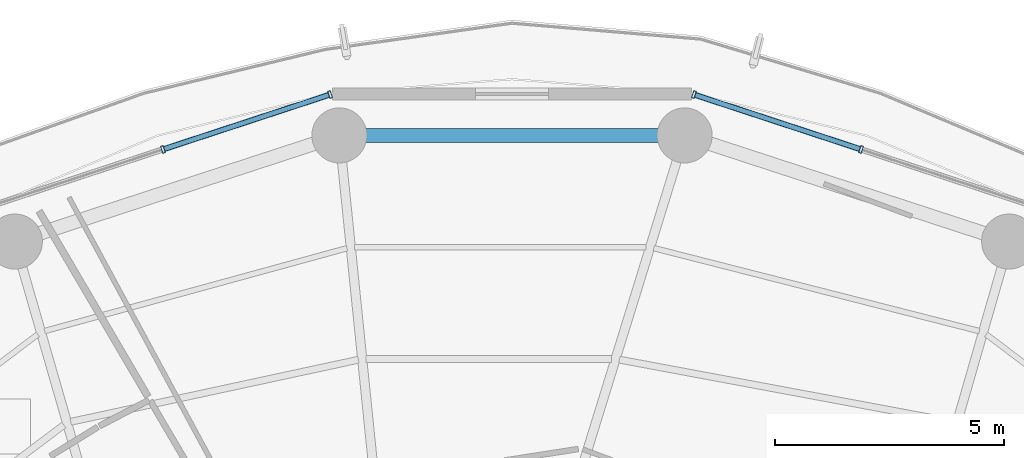
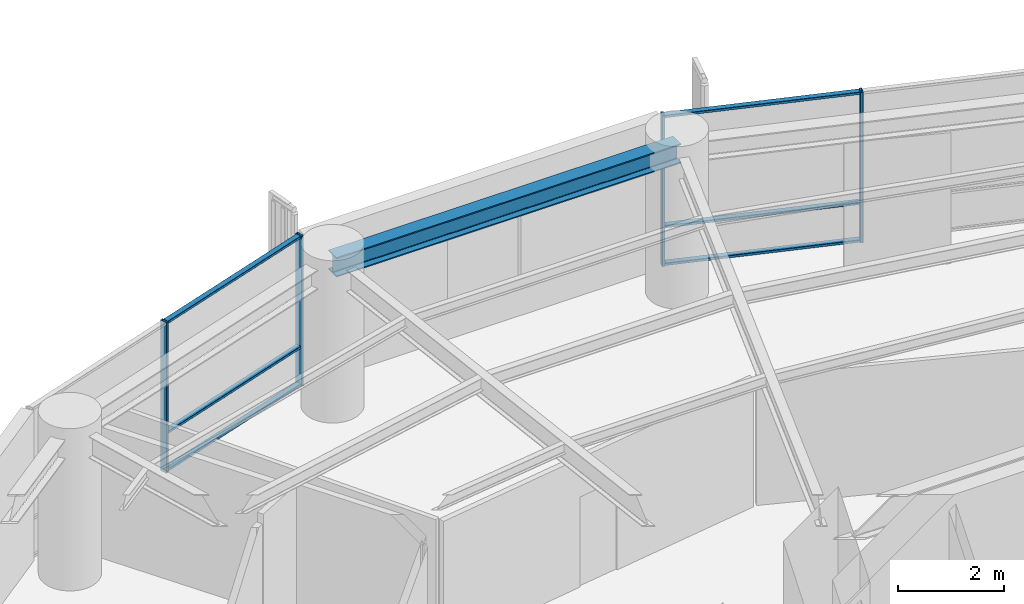
# One storey, part 18 of 27: 10 members, 1 beam, 2 elements without a shape of their own.
"""IFC4 building model written with IfcOpenShell, lengths in metres."""

from ifc_helpers import new_model, si_unit, direction, frame, origin, origin_2d, place, context, subcontext, project, spatial, hollow_rectangle, i_section, extrude, material, layer, layer_set, material_profile, profile_set, type_object, element, aggregate, save


model = new_model("IFC4")

# Units and contexts
model_context = context("Model", 3, precision=1e-05, world=origin(), true_north=direction((0.0, 1.0)))
body_context = subcontext(model_context, "Body", "Model", "MODEL_VIEW")
ifc_project = project(units=[si_unit("LENGTHUNIT", "METRE"), si_unit("AREAUNIT", "SQUARE_METRE"), si_unit("VOLUMEUNIT", "CUBIC_METRE"), si_unit("PLANEANGLEUNIT", "RADIAN"), si_unit("MASSUNIT", "GRAM", prefix="KILO")], contexts=[model_context])

# Site, building, storey
site_placement = place(None, origin())
site = spatial("IfcSite", under=ifc_project, at=site_placement, CompositionType="ELEMENT")
building_placement = place(site_placement, origin())
building = spatial("IfcBuilding", under=site, at=building_placement, Name="Kelanora Arch Commons", CompositionType="ELEMENT")
storey_placement = place(building_placement, frame((0.0, 0.0, 154.35009765625)))
storey = spatial("IfcBuildingStorey", under=building, at=storey_placement, Name="L39", CompositionType="ELEMENT", Elevation=154.35009765625)

# Beam
ifc_material_1 = material(Name="Steel S355", Category="steel")
ifc_material_profile_1 = material_profile(ifc_material_1, i_section(OverallWidth=0.300048828125, OverallDepth=0.449951171875, WebThickness=0.013916015625, FlangeThickness=0.02587890625, FilletRadius=0.027099609375, at=origin_2d()), Name="HEB450")
ifc_profile_set_1 = profile_set([ifc_material_profile_1], Name="Steel S355")
beam_type = type_object("IfcBeamType", Name="BM-SPN-Z3", PredefinedType="SPANDREL", material=ifc_profile_set_1)
beam_placement = place(storey_placement, frame((77.7646484375, 77.18408203125, 3.264892578125), z_axis=(-1.0, 0.0, 0.0), x_axis=(0.0, -1.0, 0.0)))
element("IfcBeam", 1, at=beam_placement, inside=storey, type_object=beam_type, Name="Perimeter Spandrel Beam BS-08 L39", PredefinedType="SPANDREL", context=body_context, shape_type="SweptSolid", body=[
    extrude(i_section(OverallWidth=0.300048828125, OverallDepth=0.449951171875, WebThickness=0.013916015625, FlangeThickness=0.02587890625, FilletRadius=0.027099609375, at=origin_2d()), origin(), (0.0, 0.0, 1.0), 7.529296875),
])

# Curtain wall, members
ifc_material_2 = material(Name="Terracotta ceramic-fritted low-E glass and aluminium", Category="masonry")
ifc_layer = layer(ifc_material_2, 0.175048828125)
ifc_layer_set = layer_set([ifc_layer], Name="Terracotta ceramic-fritted low-E glass and aluminium")
curtain_wall_type = type_object("IfcCurtainWallType", Name="CW-SYS-02", PredefinedType="NOTDEFINED", material=ifc_layer_set)
curtain_wall_1_placement = place(storey_placement, origin())
curtain_wall_1 = element("IfcCurtainWall", 2, at=curtain_wall_1_placement, inside=storey, type_object=curtain_wall_type, Name="Unitised Curtain Wall L39-B03", PredefinedType="NOTDEFINED")
ifc_material_3 = material(Name="Powder-coated aluminium terracotta", Category="masonry")
ifc_material_profile_2 = material_profile(ifc_material_3, hollow_rectangle(XDim=0.159912109375, YDim=0.06005859375, WallThickness=0.0048828125, InnerFilletRadius=0.0048828125, OuterFilletRadius=0.010009765625, at=origin_2d()), Name="CWM160x60")
ifc_profile_set_2 = profile_set([ifc_material_profile_2], Name="Powder-coated aluminium terracotta")
member_type_1 = type_object("IfcMemberType", Name="CWM-STD", PredefinedType="MULLION", material=ifc_profile_set_2)
member_1_placement = place(storey_placement, frame((81.6123046875, 76.87841796875, 0.0), z_axis=(0.0, 0.0, 1.0), x_axis=(-0.312128279571, -0.95003996605, 0.0)))
member_1 = element("IfcMember", 3, at=member_1_placement, type_object=member_type_1, Name="CW-02 mullion 2", PredefinedType="MULLION", context=body_context, shape_type="SweptSolid", body=[
    extrude(hollow_rectangle(XDim=0.159912109375, YDim=0.06005859375, WallThickness=0.0048828125, InnerFilletRadius=0.0048828125, OuterFilletRadius=0.010009765625, at=origin_2d()), origin(), (0.0, 0.0, 1.0), 3.474853515625),
])
member_2_placement = place(storey_placement, frame((77.96728515625, 78.075927734375, 0.0), z_axis=(0.0, 0.0, 1.0), x_axis=(-0.312128279571, -0.95003996605, 0.0)))
member_2 = element("IfcMember", 4, at=member_2_placement, type_object=member_type_1, Name="CW-02 mullion 3", PredefinedType="MULLION", context=body_context, shape_type="SweptSolid", body=[
    extrude(hollow_rectangle(XDim=0.159912109375, YDim=0.06005859375, WallThickness=0.0048828125, InnerFilletRadius=0.0048828125, OuterFilletRadius=0.010009765625, at=origin_2d()), origin(), (0.0, 0.0, 1.0), 3.474853515625),
])

curtain_wall_2_placement = place(storey_placement, origin())
curtain_wall_2 = element("IfcCurtainWall", 5, at=curtain_wall_2_placement, inside=storey, type_object=curtain_wall_type, Name="Unitised Curtain Wall L39-B05", PredefinedType="NOTDEFINED")
member_3_placement = place(storey_placement, frame((70.03271484375, 78.075927734375, 0.0), z_axis=(0.0, 0.0, 1.0), x_axis=(0.312128279571, -0.95003996605, 0.0)))
member_3 = element("IfcMember", 6, at=member_3_placement, type_object=member_type_1, Name="CW-02 mullion 1", PredefinedType="MULLION", context=body_context, shape_type="SweptSolid", body=[
    extrude(hollow_rectangle(XDim=0.159912109375, YDim=0.06005859375, WallThickness=0.0048828125, InnerFilletRadius=0.0048828125, OuterFilletRadius=0.010009765625, at=origin_2d()), origin(), (0.0, 0.0, 1.0), 3.474853515625),
])
member_4_placement = place(storey_placement, frame((66.3876953125, 76.87841796875, 0.0), z_axis=(0.0, 0.0, 1.0), x_axis=(0.312128279571, -0.95003996605, 0.0)))
member_4 = element("IfcMember", 7, at=member_4_placement, type_object=member_type_1, Name="CW-02 mullion 2", PredefinedType="MULLION", context=body_context, shape_type="SweptSolid", body=[
    extrude(hollow_rectangle(XDim=0.159912109375, YDim=0.06005859375, WallThickness=0.0048828125, InnerFilletRadius=0.0048828125, OuterFilletRadius=0.010009765625, at=origin_2d()), origin(), (0.0, 0.0, 1.0), 3.474853515625),
])

# Member
ifc_material_profile_3 = material_profile(ifc_material_3, hollow_rectangle(XDim=0.1201171875, YDim=0.06005859375, WallThickness=0.0048828125, InnerFilletRadius=0.0048828125, OuterFilletRadius=0.010009765625, at=origin_2d()), Name="CWT120x60")
ifc_profile_set_3 = profile_set([ifc_material_profile_3], Name="Powder-coated aluminium terracotta")
member_type_2 = type_object("IfcMemberType", Name="CWT-STD", PredefinedType="USERDEFINED", material=ifc_profile_set_3)
member_5_placement = place(storey_placement, frame((81.583740234375, 76.887939453125, 0.02978515625), z_axis=(-0.950051191155, 0.312094111104, 0.0), x_axis=(-0.312094111104, -0.950051191155, 0.0)))
member_5 = element("IfcMember", 8, at=member_5_placement, type_object=member_type_2, Name="CW-02 transom 2.1", ObjectType="TRANSOM", PredefinedType="USERDEFINED", context=body_context, shape_type="SweptSolid", body=[
    extrude(hollow_rectangle(XDim=0.1201171875, YDim=0.06005859375, WallThickness=0.0048828125, InnerFilletRadius=0.0048828125, OuterFilletRadius=0.010009765625, at=origin_2d()), origin(), (0.0, 0.0, 1.0), 3.77685546875),
])

member_6_placement = place(storey_placement, frame((81.583740234375, 76.887939453125, 0.89990234375), z_axis=(-0.950051191155, 0.312094111104, 0.0), x_axis=(-0.312094111104, -0.950051191155, 0.0)))
member_6 = element("IfcMember", 9, at=member_6_placement, type_object=member_type_2, Name="CW-02 transom 2.2", ObjectType="TRANSOM", PredefinedType="USERDEFINED", context=body_context, shape_type="SweptSolid", body=[
    extrude(hollow_rectangle(XDim=0.1201171875, YDim=0.06005859375, WallThickness=0.0048828125, InnerFilletRadius=0.0048828125, OuterFilletRadius=0.010009765625, at=origin_2d()), origin(), (0.0, 0.0, 1.0), 3.77685546875),
])

member_7_placement = place(storey_placement, frame((81.583740234375, 76.887939453125, 3.44482421875), z_axis=(-0.950051191155, 0.312094111104, 0.0), x_axis=(-0.312094111104, -0.950051191155, 0.0)))
member_7 = element("IfcMember", 10, at=member_7_placement, type_object=member_type_2, Name="CW-02 transom 2.3", ObjectType="TRANSOM", PredefinedType="USERDEFINED", context=body_context, shape_type="SweptSolid", body=[
    extrude(hollow_rectangle(XDim=0.1201171875, YDim=0.06005859375, WallThickness=0.0048828125, InnerFilletRadius=0.0048828125, OuterFilletRadius=0.010009765625, at=origin_2d()), origin(), (0.0, 0.0, 1.0), 3.77685546875),
])

aggregate(curtain_wall_1, [member_1, member_2, member_5, member_6, member_7])

member_8_placement = place(storey_placement, frame((70.00439453125, 78.066650390625, 0.02978515625), z_axis=(-0.950051191155, -0.312094111104, 0.0), x_axis=(0.312094111104, -0.950051191155, 0.0)))
member_8 = element("IfcMember", 11, at=member_8_placement, type_object=member_type_2, Name="CW-02 transom 1.1", ObjectType="TRANSOM", PredefinedType="USERDEFINED", context=body_context, shape_type="SweptSolid", body=[
    extrude(hollow_rectangle(XDim=0.1201171875, YDim=0.06005859375, WallThickness=0.0048828125, InnerFilletRadius=0.0048828125, OuterFilletRadius=0.010009765625, at=origin_2d()), origin(), (0.0, 0.0, 1.0), 3.77685546875),
])

member_9_placement = place(storey_placement, frame((70.00439453125, 78.066650390625, 0.89990234375), z_axis=(-0.950051191155, -0.312094111104, 0.0), x_axis=(0.312094111104, -0.950051191155, 0.0)))
member_9 = element("IfcMember", 12, at=member_9_placement, type_object=member_type_2, Name="CW-02 transom 1.2", ObjectType="TRANSOM", PredefinedType="USERDEFINED", context=body_context, shape_type="SweptSolid", body=[
    extrude(hollow_rectangle(XDim=0.1201171875, YDim=0.06005859375, WallThickness=0.0048828125, InnerFilletRadius=0.0048828125, OuterFilletRadius=0.010009765625, at=origin_2d()), origin(), (0.0, 0.0, 1.0), 3.77685546875),
])

member_10_placement = place(storey_placement, frame((70.00439453125, 78.066650390625, 3.44482421875), z_axis=(-0.950051191155, -0.312094111104, 0.0), x_axis=(0.312094111104, -0.950051191155, 0.0)))
member_10 = element("IfcMember", 13, at=member_10_placement, type_object=member_type_2, Name="CW-02 transom 1.3", ObjectType="TRANSOM", PredefinedType="USERDEFINED", context=body_context, shape_type="SweptSolid", body=[
    extrude(hollow_rectangle(XDim=0.1201171875, YDim=0.06005859375, WallThickness=0.0048828125, InnerFilletRadius=0.0048828125, OuterFilletRadius=0.010009765625, at=origin_2d()), origin(), (0.0, 0.0, 1.0), 3.77685546875),
])

aggregate(curtain_wall_2, [member_3, member_4, member_8, member_9, member_10])

save(model, "model.ifc")
